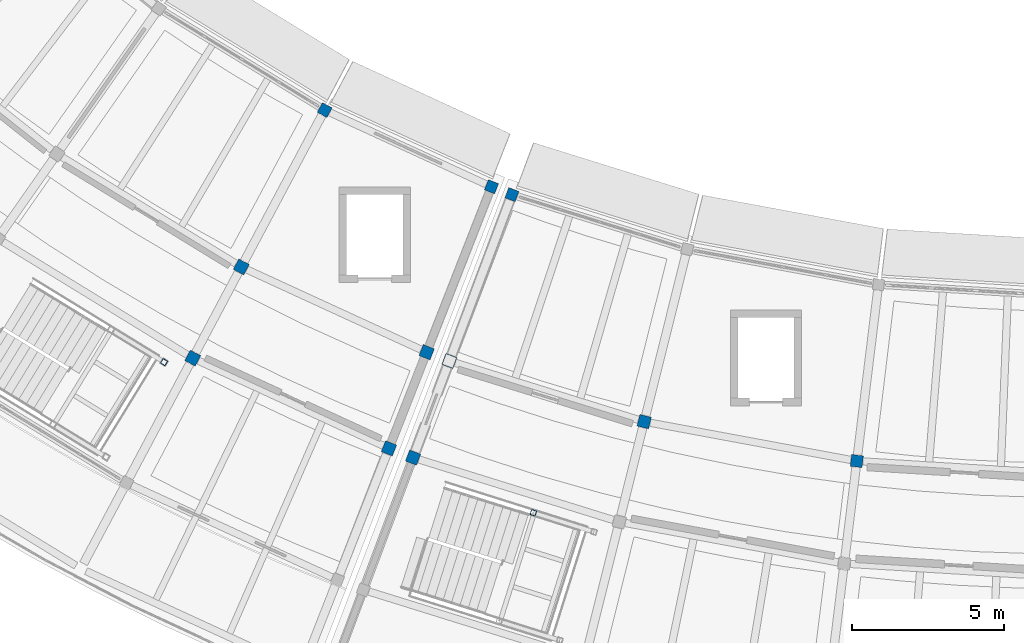
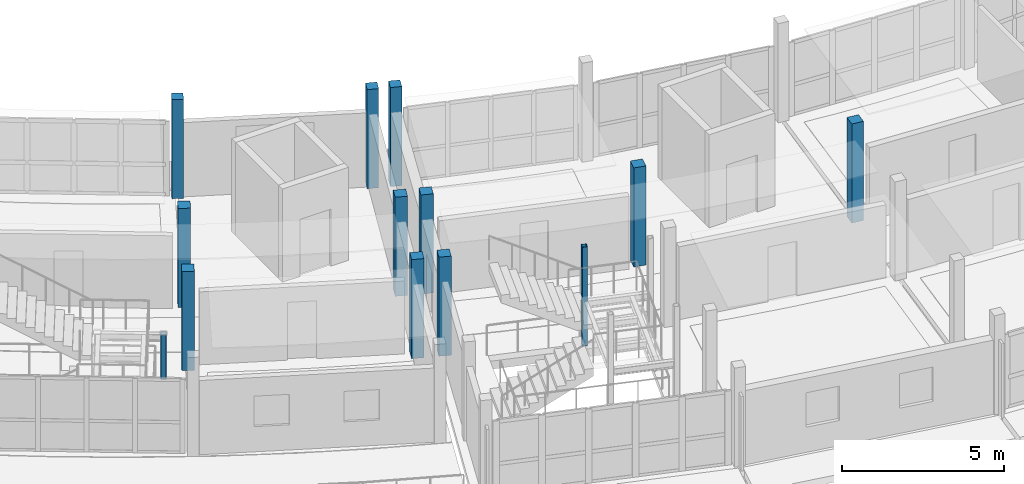
# One storey, part 3 of 36: 13 columns.
"""IFC4 building model written with IfcOpenShell, lengths in metres."""

from ifc_helpers import new_model, si_unit, direction, frame, origin, origin_2d, place, context, subcontext, project, spatial, rectangle, hollow_rectangle, extrude, material, material_profile, profile_set, type_object, element, save


model = new_model("IFC4")

# Units and contexts
model_context = context("Model", 3, precision=1e-05, world=origin(), true_north=direction((0.0, 1.0)))
body_context = subcontext(model_context, "Body", "Model", "MODEL_VIEW")
ifc_project = project(units=[si_unit("LENGTHUNIT", "METRE"), si_unit("AREAUNIT", "SQUARE_METRE"), si_unit("VOLUMEUNIT", "CUBIC_METRE"), si_unit("PLANEANGLEUNIT", "RADIAN"), si_unit("MASSUNIT", "GRAM", prefix="KILO")], contexts=[model_context])

# Site, building, storey
site_placement = place(None, origin())
site = spatial("IfcSite", under=ifc_project, at=site_placement, CompositionType="ELEMENT")
building_placement = place(site_placement, origin())
building = spatial("IfcBuilding", under=site, at=building_placement, Name="Caldaven Crescent School", CompositionType="ELEMENT")
storey_placement = place(building_placement, frame((0.0, 0.0, 11.89990234375)))
storey = spatial("IfcBuildingStorey", under=building, at=storey_placement, Name="L03", CompositionType="ELEMENT", Elevation=11.89990234375)

# Columns
ifc_material_1 = material(Name="Glulam MLE24h (GL28h)", Category="wood")
ifc_material_profile_1 = material_profile(ifc_material_1, rectangle(XDim=0.360107421875, YDim=0.360107421875, at=origin_2d()), Name="MLE 360x360")
ifc_profile_set_1 = profile_set([ifc_material_profile_1], Name="Glulam MLE24h (GL28h)")
column_type_1 = type_object("IfcColumnType", Name="COL-GL36", PredefinedType="COLUMN", material=ifc_profile_set_1)
for number, where, z_axis, x_axis, name in (
    (1, (63.376220703125, 49.689453125, 0.0), (0.0, 0.0, 1.0), (-0.469471562786, -0.882947592859, 0.0), "COL-V4W-L03-02-0"),
    (2, (68.866943359375, 47.164306640625, 0.0), (0.0, 0.0, 1.0), (-0.364714278886, -0.931119484694, 0.0), "COL-V4W-L03-03-0"),
    (3, (69.541259765625, 46.905517578125, 0.0), (0.0, 0.0, 1.0), (-0.352005016254, -0.93599811353, 0.0), "COL-V5-L03-00-0"),
):
    element("IfcColumn", number, at=place(storey_placement, frame(where, z_axis=z_axis, x_axis=x_axis)), inside=storey, type_object=column_type_1, Name=name, PredefinedType="COLUMN", context=body_context, shape_type="SweptSolid", body=[
        extrude(rectangle(XDim=0.360107421875, YDim=0.360107421875, at=origin_2d()), origin(), (0.0, 0.0, 1.0), 3.739990234375),
    ])
ifc_material_profile_2 = material_profile(ifc_material_1, rectangle(XDim=0.389892578125, YDim=0.389892578125, at=origin_2d()), Name="MLE 390x390")
ifc_profile_set_2 = profile_set([ifc_material_profile_2], Name="Glulam MLE24h (GL28h)")
column_type_2 = type_object("IfcColumnType", Name="COL-GL39", PredefinedType="COLUMN", material=ifc_profile_set_2)
for number, where, z_axis, x_axis, name in (
    (4, (60.6298828125, 44.524169921875, 0.0), (0.0, 0.0, 1.0), (-0.469471562786, -0.882947592859, 0.0), "COL-V4W-L03-02-1"),
    (5, (59.03369140625, 41.522216796875, 0.0), (0.0, 0.0, 1.0), (-0.469471562786, -0.882947592859, 0.0), "COL-V4W-L03-02-2"),
    (6, (66.73291015625, 41.71728515625, 0.0), (0.0, 0.0, 1.0), (-0.364714278886, -0.931119484694, 0.0), "COL-V4W-L03-03-1"),
    (7, (65.49267578125, 38.5517578125, 0.0), (0.0, 0.0, 1.0), (-0.364714278886, -0.931119484694, 0.0), "COL-V4W-L03-03-2"),
    (8, (67.482421875, 41.4296875, 0.0), (0.0, 0.0, 1.0), (-0.352005016254, -0.93599811353, 0.0), "COL-V5-L03-00-1"),
    (9, (66.285888671875, 38.247314453125, 0.0), (0.0, 0.0, 1.0), (-0.352005016254, -0.93599811353, 0.0), "COL-V5-L03-00-2"),
    (10, (73.89599609375, 39.431640625, 0.0), (0.0, 0.0, 1.0), (-0.2419218956, -0.970295726276, 0.0), "COL-V5-L03-01-1"),
    (11, (80.89501953125, 38.134521484375, 0.0), (0.0, 0.0, 1.0), (-0.121869343405, -0.992546151641, 0.0), "COL-V5-L03-02-1"),
):
    element("IfcColumn", number, at=place(storey_placement, frame(where, z_axis=z_axis, x_axis=x_axis)), inside=storey, type_object=column_type_2, Name=name, PredefinedType="COLUMN", context=body_context, shape_type="SweptSolid", body=[
        extrude(rectangle(XDim=0.389892578125, YDim=0.389892578125, at=origin_2d()), origin(), (0.0, 0.0, 1.0), 3.739990234375),
    ])
ifc_material_2 = material(Name="Steel ASTM A572 Grade 50", Category="steel")
ifc_material_profile_3 = material_profile(ifc_material_2, hollow_rectangle(XDim=0.179931640625, YDim=0.179931640625, WallThickness=0.010009765625, InnerFilletRadius=0.010009765625, OuterFilletRadius=0.02001953125, at=origin_2d()), Name="HSS 180x180x10")
ifc_profile_set_3 = profile_set([ifc_material_profile_3], Name="Steel ASTM A572 Grade 50")
column_type_3 = type_object("IfcColumnType", Name="COL-HS18", PredefinedType="COLUMN", material=ifc_profile_set_3)
column_1_placement = place(storey_placement, frame((58.08935546875, 41.39111328125, 0.0), z_axis=(0.0, 0.0, 1.0), x_axis=(0.852640164354, -0.522498564716, 0.0)))
element("IfcColumn", 12, at=column_1_placement, inside=storey, type_object=column_type_3, Name="COL-STPOST-ST1-L03-D", PredefinedType="COLUMN", context=body_context, shape_type="SweptSolid", body=[
    extrude(hollow_rectangle(XDim=0.179931640625, YDim=0.179931640625, WallThickness=0.010009765625, InnerFilletRadius=0.010009765625, OuterFilletRadius=0.02001953125, at=origin_2d()), origin(), (0.0, 0.0, 1.0), 1.675048828125),
])
column_2_placement = place(storey_placement, frame((70.245849609375, 36.431884765625, 0.0), z_axis=(0.0, 0.0, 1.0), x_axis=(0.953716950748, -0.300705799504, 0.0)))
element("IfcColumn", 13, at=column_2_placement, inside=storey, type_object=column_type_3, Name="COL-STPOST-ST2-L03-B", PredefinedType="COLUMN", context=body_context, shape_type="SweptSolid", body=[
    extrude(hollow_rectangle(XDim=0.179931640625, YDim=0.179931640625, WallThickness=0.010009765625, InnerFilletRadius=0.010009765625, OuterFilletRadius=0.02001953125, at=origin_2d()), origin(), (0.0, 0.0, 1.0), 3.739990234375),
])

save(model, "model.ifc")
